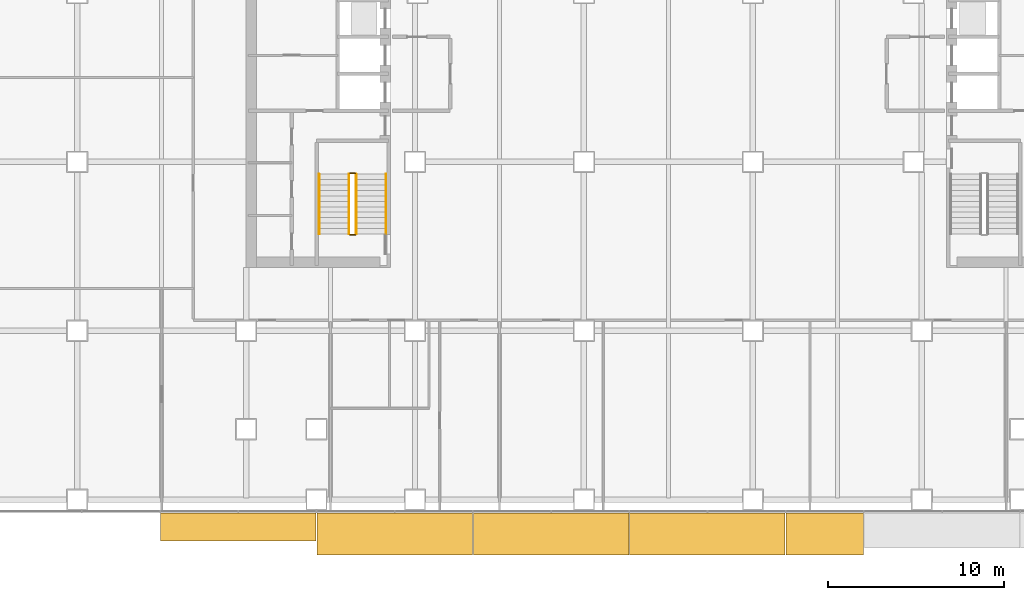
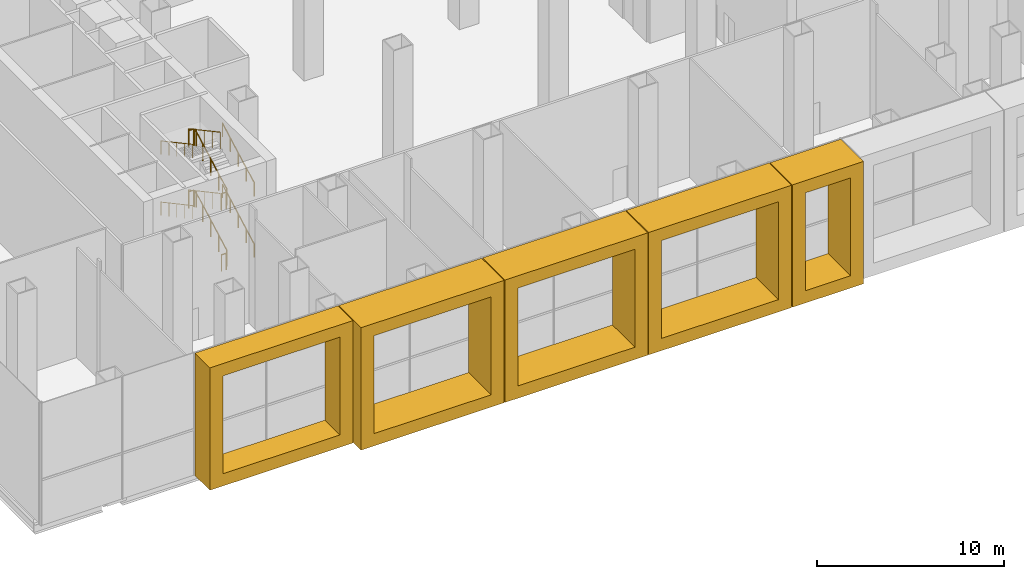
# One storey, part 21 of 24: 12 railings, 5 coverings.
"""IFC4 building model written with IfcOpenShell, lengths in metres."""

from ifc_helpers import new_model, si_unit, direction, frame, origin, origin_2d, place, context, subcontext, project, spatial, polyline, circle, outline, extrude, material, type_object, element, save


model = new_model("IFC4")

# Units and contexts
model_context = context("Model", 3, precision=1e-05, world=origin(), true_north=direction((0.0, 1.0)))
body_context = subcontext(model_context, "Body", "Model", "MODEL_VIEW")
ifc_project = project(units=[si_unit("LENGTHUNIT", "METRE"), si_unit("AREAUNIT", "SQUARE_METRE"), si_unit("VOLUMEUNIT", "CUBIC_METRE"), si_unit("PLANEANGLEUNIT", "RADIAN"), si_unit("MASSUNIT", "GRAM", prefix="KILO")], contexts=[model_context])

# Site, building, storey
site_placement = place(None, origin())
site = spatial("IfcSite", under=ifc_project, at=site_placement, CompositionType="ELEMENT")
building_placement = place(site_placement, origin())
building = spatial("IfcBuilding", under=site, at=building_placement, Name="Cobrizo Arcos Hotel Tower", CompositionType="ELEMENT")
storey_placement = place(building_placement, frame((0.0, 0.0, 7.5)))
storey = spatial("IfcBuildingStorey", under=building, at=storey_placement, Name="L01", CompositionType="ELEMENT", Elevation=7.5)

# Coverings
ifc_material_1 = material(Name="Aluminium 6063-T6 anodised bronze", Category="aluminium")
covering_type_1 = type_object("IfcCoveringType", Name="FIN-F 1600", PredefinedType="CLADDING", material=ifc_material_1)
covering_1_placement = place(storey_placement, frame((-28.864013671875, -24.75, 0.0), z_axis=(0.0, -1.0, 0.0), x_axis=(1.0, 0.0, 0.0)))
element("IfcCovering", 1, at=covering_1_placement, inside=storey, type_object=covering_type_1, Name="Fin frame 484", PredefinedType="CLADDING", context=body_context, shape_type="SweptSolid", body=[
    extrude(outline(polyline([(0.0, 8.0), (0.0, 0.0), (8.8388671875, 0.0), (8.8388671875, 8.0), (0.0, 8.0)]), holes=[polyline([(8.038818359375, 0.800048828125), (0.800048828125, 0.800048828125), (0.800048828125, 7.199951171875), (8.038818359375, 7.199951171875), (8.038818359375, 0.800048828125)])]), origin(), (0.0, 0.0, 1.0), 1.60009765625),
])
covering_type_2 = type_object("IfcCoveringType", Name="FIN-F 2400", PredefinedType="CLADDING", material=ifc_material_1)
for number, where, z_axis, x_axis, name in (
    (2, (-19.97509765625, -24.75, 0.0), (0.0, -1.0, 0.0), (1.0, 0.0, 0.0), "Fin frame 485"),
    (3, (-11.086181640625, -24.75, 0.0), (0.0, -1.0, 0.0), (1.0, 0.0, 0.0), "Fin frame 486"),
    (4, (-2.197265625, -24.75, 0.0), (0.0, -1.0, 0.0), (1.0, 0.0, 0.0), "Fin frame 487"),
):
    element("IfcCovering", number, at=place(storey_placement, frame(where, z_axis=z_axis, x_axis=x_axis)), inside=storey, type_object=covering_type_2, Name=name, PredefinedType="CLADDING", context=body_context, shape_type="SweptSolid", body=[
        extrude(outline(polyline([(0.0, 8.0), (0.0, 0.0), (8.8388671875, 0.0), (8.8388671875, 8.0), (0.0, 8.0)]), holes=[polyline([(8.038818359375, 0.800048828125), (0.800048828125, 0.800048828125), (0.800048828125, 7.199951171875), (8.038818359375, 7.199951171875), (8.038818359375, 0.800048828125)])]), origin(), (0.0, 0.0, 1.0), 2.39990234375),
    ])
covering_2_placement = place(storey_placement, frame((6.691650390625, -24.75, 0.0), z_axis=(0.0, -1.0, 0.0), x_axis=(1.0, 0.0, 0.0)))
element("IfcCovering", 5, at=covering_2_placement, inside=storey, type_object=covering_type_2, Name="Fin frame 488", PredefinedType="CLADDING", context=body_context, shape_type="SweptSolid", body=[
    extrude(outline(polyline([(0.0, 8.0), (0.0, 0.0), (4.394287109375, 0.0), (4.394287109375, 8.0), (0.0, 8.0)]), holes=[polyline([(3.594482421875, 0.800048828125), (0.800048828125, 0.800048828125), (0.800048828125, 7.199951171875), (3.594482421875, 7.199951171875), (3.594482421875, 0.800048828125)])]), origin(), (0.0, 0.0, 1.0), 2.39990234375),
])

# Railings
ifc_material_2 = material(Name="Stainless steel railing", Category="steel")
railing_type_1 = type_object("IfcRailingType", Name="Stair guard 1100", PredefinedType="GUARDRAIL", material=ifc_material_2)
railing_1_placement = place(storey_placement, frame((-17.75, -8.89990234375, 0.166748046875)))
element("IfcRailing", 6, at=railing_1_placement, inside=storey, type_object=railing_type_1, Name="L01 ST-W stair guard 1", PredefinedType="GUARDRAIL", context=body_context, shape_type="SweptSolid", body=[
    extrude(circle(Radius=0.02392578125, at=origin_2d()), frame((0.0, 0.0, 1.076171875), z_axis=(0.0, 0.880196966628, 0.4746085755), x_axis=(-1.0, 0.0, 0.0)), (0.0, 0.0, 1.0), 3.862548828125),
    extrude(circle(Radius=0.02099609375, at=origin_2d()), origin(), (0.0, 0.0, 1.0), 1.052001953125),
    extrude(circle(Radius=0.02099609375, at=origin_2d()), frame((0.0, 0.85009765625, 0.458251953125)), (0.0, 0.0, 1.0), 1.052001953125),
    extrude(circle(Radius=0.02099609375, at=origin_2d()), frame((0.0, 1.699951171875, 0.91650390625)), (0.0, 0.0, 1.0), 1.052001953125),
    extrude(circle(Radius=0.02099609375, at=origin_2d()), frame((0.0, 2.5498046875, 1.375)), (0.0, 0.0, 1.0), 1.052001953125),
    extrude(circle(Radius=0.02099609375, at=origin_2d()), frame((0.0, 3.39990234375, 1.833251953125)), (0.0, 0.0, 1.0), 1.052001953125),
])
railing_2_placement = place(storey_placement, frame((-17.800048828125, -5.449951171875, 2.0)))
element("IfcRailing", 7, at=railing_2_placement, inside=storey, type_object=railing_type_1, Name="L01 ST-W stair guard 2", PredefinedType="GUARDRAIL", context=body_context, shape_type="SweptSolid", body=[
    extrude(circle(Radius=0.02392578125, at=origin_2d()), frame((0.0, 0.0, 1.076171875), z_axis=(-1.0, 0.0, 0.0), x_axis=(0.0, -1.0, 0.0)), (0.0, 0.0, 1.0), 0.300048828125),
    extrude(circle(Radius=0.02099609375, at=origin_2d()), origin(), (0.0, 0.0, 1.0), 1.052001953125),
    extrude(circle(Radius=0.02099609375, at=origin_2d()), frame((-0.300048828125, 0.0, 0.0)), (0.0, 0.0, 1.0), 1.052001953125),
])
railing_3_placement = place(storey_placement, frame((-18.14990234375, -5.5, 2.166748046875)))
element("IfcRailing", 8, at=railing_3_placement, inside=storey, type_object=railing_type_1, Name="L01 ST-W stair guard 3", PredefinedType="GUARDRAIL", context=body_context, shape_type="SweptSolid", body=[
    extrude(circle(Radius=0.02392578125, at=origin_2d()), frame((0.0, 0.0, 1.076171875), z_axis=(0.0, -0.880196966628, 0.4746085755), x_axis=(1.0, 0.0, 0.0)), (0.0, 0.0, 1.0), 3.862548828125),
    extrude(circle(Radius=0.02099609375, at=origin_2d()), origin(), (0.0, 0.0, 1.0), 1.052001953125),
    extrude(circle(Radius=0.02099609375, at=origin_2d()), frame((0.0, -0.85009765625, 0.458251953125)), (0.0, 0.0, 1.0), 1.052001953125),
    extrude(circle(Radius=0.02099609375, at=origin_2d()), frame((0.0, -1.699951171875, 0.91650390625)), (0.0, 0.0, 1.0), 1.052001953125),
    extrude(circle(Radius=0.02099609375, at=origin_2d()), frame((0.0, -2.5498046875, 1.375)), (0.0, 0.0, 1.0), 1.052001953125),
    extrude(circle(Radius=0.02099609375, at=origin_2d()), frame((0.0, -3.39990234375, 1.833251953125)), (0.0, 0.0, 1.0), 1.052001953125),
])
railing_4_placement = place(storey_placement, frame((-17.800048828125, -8.949951171875, 4.0)))
element("IfcRailing", 9, at=railing_4_placement, inside=storey, type_object=railing_type_1, Name="L01 ST-W stair guard 4", PredefinedType="GUARDRAIL", context=body_context, shape_type="SweptSolid", body=[
    extrude(circle(Radius=0.02392578125, at=origin_2d()), frame((0.0, 0.0, 1.076171875), z_axis=(-1.0, 0.0, 0.0), x_axis=(0.0, -1.0, 0.0)), (0.0, 0.0, 1.0), 0.300048828125),
    extrude(circle(Radius=0.02099609375, at=origin_2d()), origin(), (0.0, 0.0, 1.0), 1.052001953125),
    extrude(circle(Radius=0.02099609375, at=origin_2d()), frame((-0.300048828125, 0.0, 0.0)), (0.0, 0.0, 1.0), 1.052001953125),
])
railing_5_placement = place(storey_placement, frame((-17.75, -8.89990234375, 4.166748046875)))
element("IfcRailing", 10, at=railing_5_placement, inside=storey, type_object=railing_type_1, Name="L01 ST-W stair guard 5", PredefinedType="GUARDRAIL", context=body_context, shape_type="SweptSolid", body=[
    extrude(circle(Radius=0.02392578125, at=origin_2d()), frame((0.0, 0.0, 1.076171875), z_axis=(0.0, 0.880196966628, 0.4746085755), x_axis=(-1.0, 0.0, 0.0)), (0.0, 0.0, 1.0), 3.862548828125),
    extrude(circle(Radius=0.02099609375, at=origin_2d()), origin(), (0.0, 0.0, 1.0), 1.052001953125),
    extrude(circle(Radius=0.02099609375, at=origin_2d()), frame((0.0, 0.85009765625, 0.458251953125)), (0.0, 0.0, 1.0), 1.052001953125),
    extrude(circle(Radius=0.02099609375, at=origin_2d()), frame((0.0, 1.699951171875, 0.91650390625)), (0.0, 0.0, 1.0), 1.052001953125),
    extrude(circle(Radius=0.02099609375, at=origin_2d()), frame((0.0, 2.5498046875, 1.375)), (0.0, 0.0, 1.0), 1.052001953125),
    extrude(circle(Radius=0.02099609375, at=origin_2d()), frame((0.0, 3.39990234375, 1.833251953125)), (0.0, 0.0, 1.0), 1.052001953125),
])
railing_6_placement = place(storey_placement, frame((-17.800048828125, -5.449951171875, 6.0)))
element("IfcRailing", 11, at=railing_6_placement, inside=storey, type_object=railing_type_1, Name="L01 ST-W stair guard 6", PredefinedType="GUARDRAIL", context=body_context, shape_type="SweptSolid", body=[
    extrude(circle(Radius=0.02392578125, at=origin_2d()), frame((0.0, 0.0, 1.076171875), z_axis=(-1.0, 0.0, 0.0), x_axis=(0.0, -1.0, 0.0)), (0.0, 0.0, 1.0), 0.300048828125),
    extrude(circle(Radius=0.02099609375, at=origin_2d()), origin(), (0.0, 0.0, 1.0), 1.052001953125),
    extrude(circle(Radius=0.02099609375, at=origin_2d()), frame((-0.300048828125, 0.0, 0.0)), (0.0, 0.0, 1.0), 1.052001953125),
])
railing_7_placement = place(storey_placement, frame((-18.14990234375, -5.5, 6.166748046875)))
element("IfcRailing", 12, at=railing_7_placement, inside=storey, type_object=railing_type_1, Name="L01 ST-W stair guard 7", PredefinedType="GUARDRAIL", context=body_context, shape_type="SweptSolid", body=[
    extrude(circle(Radius=0.02392578125, at=origin_2d()), frame((0.0, 0.0, 1.076171875), z_axis=(0.0, -0.880196966628, 0.4746085755), x_axis=(1.0, 0.0, 0.0)), (0.0, 0.0, 1.0), 3.862548828125),
    extrude(circle(Radius=0.02099609375, at=origin_2d()), origin(), (0.0, 0.0, 1.0), 1.052001953125),
    extrude(circle(Radius=0.02099609375, at=origin_2d()), frame((0.0, -0.85009765625, 0.458251953125)), (0.0, 0.0, 1.0), 1.052001953125),
    extrude(circle(Radius=0.02099609375, at=origin_2d()), frame((0.0, -1.699951171875, 0.91650390625)), (0.0, 0.0, 1.0), 1.052001953125),
    extrude(circle(Radius=0.02099609375, at=origin_2d()), frame((0.0, -2.5498046875, 1.375)), (0.0, 0.0, 1.0), 1.052001953125),
    extrude(circle(Radius=0.02099609375, at=origin_2d()), frame((0.0, -3.39990234375, 1.833251953125)), (0.0, 0.0, 1.0), 1.052001953125),
])
railing_8_placement = place(storey_placement, frame((-17.800048828125, -8.949951171875, 0.0)))
element("IfcRailing", 13, at=railing_8_placement, inside=storey, type_object=railing_type_1, Name="L01 ST-W stair guard 8", PredefinedType="GUARDRAIL", context=body_context, shape_type="SweptSolid", body=[
    extrude(circle(Radius=0.02392578125, at=origin_2d()), frame((0.0, 0.0, 1.076171875), z_axis=(-1.0, 0.0, 0.0), x_axis=(0.0, -1.0, 0.0)), (0.0, 0.0, 1.0), 0.300048828125),
    extrude(circle(Radius=0.02099609375, at=origin_2d()), origin(), (0.0, 0.0, 1.0), 1.052001953125),
    extrude(circle(Radius=0.02099609375, at=origin_2d()), frame((-0.300048828125, 0.0, 0.0)), (0.0, 0.0, 1.0), 1.052001953125),
])
railing_type_2 = type_object("IfcRailingType", Name="Stair handrail", PredefinedType="HANDRAIL", material=ifc_material_2)
railing_9_placement = place(storey_placement, frame((-16.050048828125, -8.89990234375, 0.166748046875)))
element("IfcRailing", 14, at=railing_9_placement, inside=storey, type_object=railing_type_2, Name="L01 ST-W stair handrail 1", PredefinedType="HANDRAIL", context=body_context, shape_type="SweptSolid", body=[
    extrude(circle(Radius=0.02392578125, at=origin_2d()), frame((0.0, 0.0, 0.8759765625), z_axis=(0.0, 0.880196966628, 0.4746085755), x_axis=(-1.0, 0.0, 0.0)), (0.0, 0.0, 1.0), 3.862548828125),
    extrude(circle(Radius=0.02099609375, at=origin_2d()), origin(), (0.0, 0.0, 1.0), 0.851806640625),
    extrude(circle(Radius=0.02099609375, at=origin_2d()), frame((0.0, 0.85009765625, 0.458251953125)), (0.0, 0.0, 1.0), 0.851806640625),
    extrude(circle(Radius=0.02099609375, at=origin_2d()), frame((0.0, 1.699951171875, 0.91650390625)), (0.0, 0.0, 1.0), 0.851806640625),
    extrude(circle(Radius=0.02099609375, at=origin_2d()), frame((0.0, 2.5498046875, 1.375)), (0.0, 0.0, 1.0), 0.851806640625),
    extrude(circle(Radius=0.02099609375, at=origin_2d()), frame((0.0, 3.39990234375, 1.833251953125)), (0.0, 0.0, 1.0), 0.851806640625),
])
railing_10_placement = place(storey_placement, frame((-19.85009765625, -5.5, 2.166748046875)))
element("IfcRailing", 15, at=railing_10_placement, inside=storey, type_object=railing_type_2, Name="L01 ST-W stair handrail 2", PredefinedType="HANDRAIL", context=body_context, shape_type="SweptSolid", body=[
    extrude(circle(Radius=0.02392578125, at=origin_2d()), frame((0.0, 0.0, 0.8759765625), z_axis=(0.0, -0.880196966628, 0.4746085755), x_axis=(1.0, 0.0, 0.0)), (0.0, 0.0, 1.0), 3.862548828125),
    extrude(circle(Radius=0.02099609375, at=origin_2d()), origin(), (0.0, 0.0, 1.0), 0.851806640625),
    extrude(circle(Radius=0.02099609375, at=origin_2d()), frame((0.0, -0.85009765625, 0.458251953125)), (0.0, 0.0, 1.0), 0.851806640625),
    extrude(circle(Radius=0.02099609375, at=origin_2d()), frame((0.0, -1.699951171875, 0.91650390625)), (0.0, 0.0, 1.0), 0.851806640625),
    extrude(circle(Radius=0.02099609375, at=origin_2d()), frame((0.0, -2.5498046875, 1.375)), (0.0, 0.0, 1.0), 0.851806640625),
    extrude(circle(Radius=0.02099609375, at=origin_2d()), frame((0.0, -3.39990234375, 1.833251953125)), (0.0, 0.0, 1.0), 0.851806640625),
])
railing_11_placement = place(storey_placement, frame((-16.050048828125, -8.89990234375, 4.166748046875)))
element("IfcRailing", 16, at=railing_11_placement, inside=storey, type_object=railing_type_2, Name="L01 ST-W stair handrail 3", PredefinedType="HANDRAIL", context=body_context, shape_type="SweptSolid", body=[
    extrude(circle(Radius=0.02392578125, at=origin_2d()), frame((0.0, 0.0, 0.8759765625), z_axis=(0.0, 0.880196966628, 0.4746085755), x_axis=(-1.0, 0.0, 0.0)), (0.0, 0.0, 1.0), 3.862548828125),
    extrude(circle(Radius=0.02099609375, at=origin_2d()), origin(), (0.0, 0.0, 1.0), 0.851806640625),
    extrude(circle(Radius=0.02099609375, at=origin_2d()), frame((0.0, 0.85009765625, 0.458251953125)), (0.0, 0.0, 1.0), 0.851806640625),
    extrude(circle(Radius=0.02099609375, at=origin_2d()), frame((0.0, 1.699951171875, 0.91650390625)), (0.0, 0.0, 1.0), 0.851806640625),
    extrude(circle(Radius=0.02099609375, at=origin_2d()), frame((0.0, 2.5498046875, 1.375)), (0.0, 0.0, 1.0), 0.851806640625),
    extrude(circle(Radius=0.02099609375, at=origin_2d()), frame((0.0, 3.39990234375, 1.833251953125)), (0.0, 0.0, 1.0), 0.851806640625),
])
railing_12_placement = place(storey_placement, frame((-19.85009765625, -5.5, 6.166748046875)))
element("IfcRailing", 17, at=railing_12_placement, inside=storey, type_object=railing_type_2, Name="L01 ST-W stair handrail 4", PredefinedType="HANDRAIL", context=body_context, shape_type="SweptSolid", body=[
    extrude(circle(Radius=0.02392578125, at=origin_2d()), frame((0.0, 0.0, 0.8759765625), z_axis=(0.0, -0.880196966628, 0.4746085755), x_axis=(1.0, 0.0, 0.0)), (0.0, 0.0, 1.0), 3.862548828125),
    extrude(circle(Radius=0.02099609375, at=origin_2d()), origin(), (0.0, 0.0, 1.0), 0.851806640625),
    extrude(circle(Radius=0.02099609375, at=origin_2d()), frame((0.0, -0.85009765625, 0.458251953125)), (0.0, 0.0, 1.0), 0.851806640625),
    extrude(circle(Radius=0.02099609375, at=origin_2d()), frame((0.0, -1.699951171875, 0.91650390625)), (0.0, 0.0, 1.0), 0.851806640625),
    extrude(circle(Radius=0.02099609375, at=origin_2d()), frame((0.0, -2.5498046875, 1.375)), (0.0, 0.0, 1.0), 0.851806640625),
    extrude(circle(Radius=0.02099609375, at=origin_2d()), frame((0.0, -3.39990234375, 1.833251953125)), (0.0, 0.0, 1.0), 0.851806640625),
])

save(model, "model.ifc")
